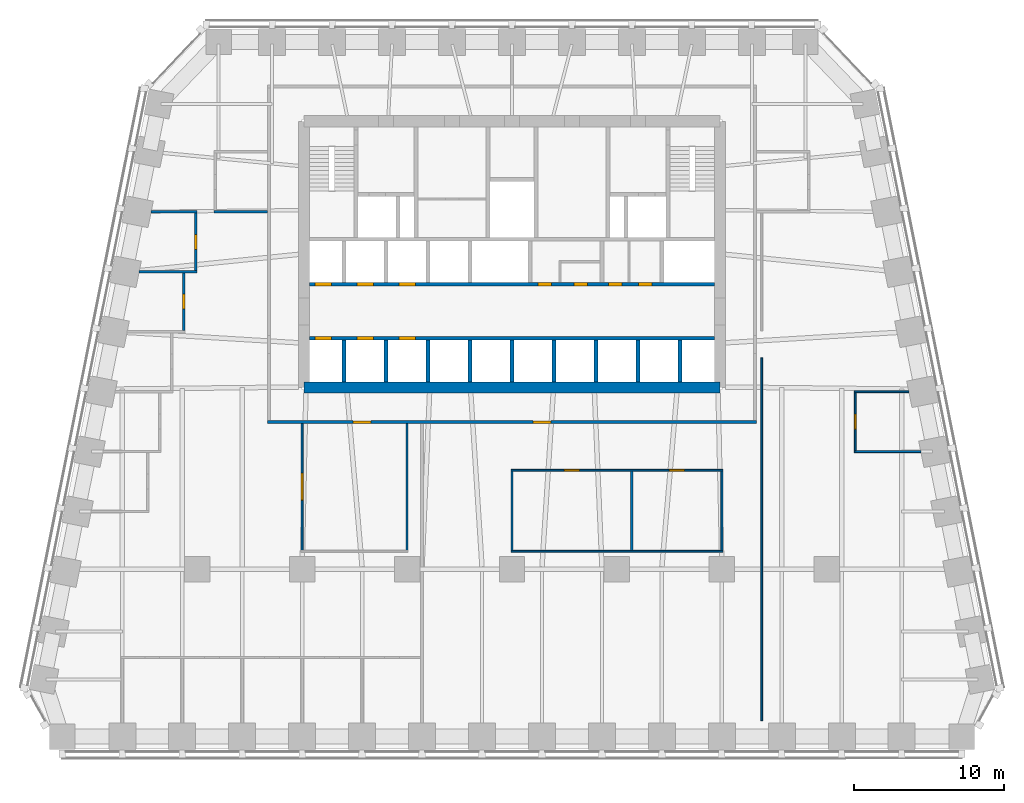
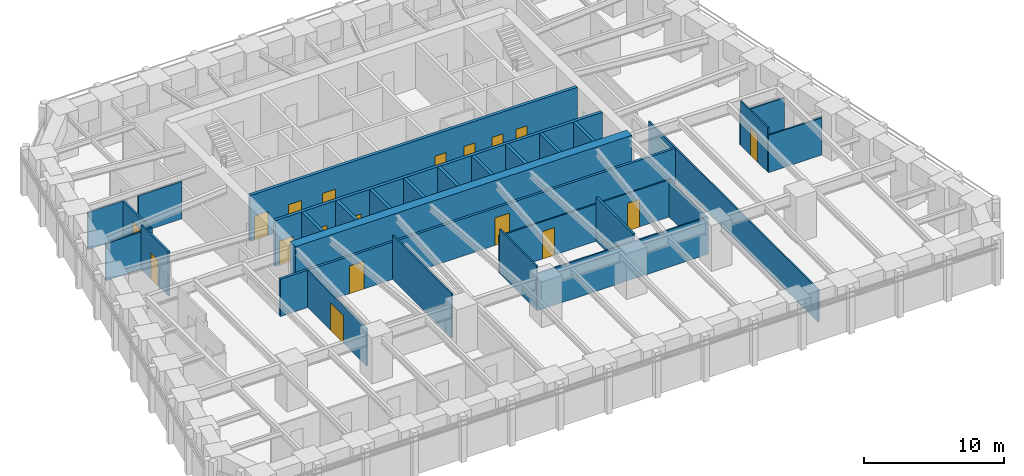
# One storey, part 6 of 10: 29 walls, 18 doors, 18 openings.
"""IFC4 building model written with IfcOpenShell, lengths in metres."""

from ifc_helpers import new_model, si_unit, direction, frame, frame_2d, origin, place, context, subcontext, project, spatial, rectangle, extrude, material, layer, layer_set, type_object, element, fill, save


model = new_model("IFC4")

# Units and contexts
model_context = context("Model", 3, precision=1e-05, world=origin(), true_north=direction((0.0, 1.0)))
body_context = subcontext(model_context, "Body", "Model", "MODEL_VIEW")
ifc_project = project(units=[si_unit("LENGTHUNIT", "METRE"), si_unit("AREAUNIT", "SQUARE_METRE"), si_unit("VOLUMEUNIT", "CUBIC_METRE"), si_unit("PLANEANGLEUNIT", "RADIAN"), si_unit("MASSUNIT", "GRAM", prefix="KILO")], contexts=[model_context])

# Site, building, storey
site_placement = place(None, origin())
site = spatial("IfcSite", under=ifc_project, at=site_placement, CompositionType="ELEMENT")
building_placement = place(site_placement, origin())
building = spatial("IfcBuilding", under=site, at=building_placement, Name="Isbrekke Arena Tower", CompositionType="ELEMENT")
storey_placement = place(building_placement, frame((0.0, 0.0, 111.0)))
storey = spatial("IfcBuildingStorey", under=building, at=storey_placement, Name="L24", CompositionType="ELEMENT", Elevation=111.0)

# Wall
ifc_material_1 = material(Name="Concrete B55 (C55/67)", Category="concrete")
ifc_layer_1 = layer(ifc_material_1, 0.75)
ifc_layer_set_1 = layer_set([ifc_layer_1], Name="CW3 CORE WALL 750")
wall_type_1 = type_object("IfcWallType", Name="CW3 CORE WALL 750", PredefinedType="SHEAR", material=ifc_layer_set_1)
wall_1_placement = place(storey_placement, frame((-13.875, 6.125, 0.0), z_axis=(0.0, 0.0, 1.0), x_axis=(1.0, 0.0, 0.0)))
element("IfcWall", 1, at=wall_1_placement, inside=storey, type_object=wall_type_1, Name="Core wall S L24", PredefinedType="SHEAR", context=body_context, shape_type="SweptSolid", body=[
    extrude(rectangle(XDim=27.75, YDim=0.75, at=frame_2d((13.875, 0.0))), origin(), (0.0, 0.0, 1.0), 4.0),
])

# Wall, openings, doors
ifc_material_2 = material(Name="Concrete B45 (C45/55)", Category="concrete")
ifc_layer_2 = layer(ifc_material_2, 0.25)
ifc_layer_set_2 = layer_set([ifc_layer_2], Name="CW6 SHAFT WALL 250")
wall_type_2 = type_object("IfcWallType", Name="CW6 SHAFT WALL 250", PredefinedType="SHEAR", material=ifc_layer_set_2)
wall_2_placement = place(storey_placement, frame((-13.5, 9.39990234375, 0.0), z_axis=(0.0, 0.0, 1.0), x_axis=(1.0, 0.0, 0.0)))
wall_2 = element("IfcWall", 2, at=wall_2_placement, inside=storey, type_object=wall_type_2, Name="Core wall LS L24", PredefinedType="SHEAR", context=body_context, shape_type="SweptSolid", body=[
    extrude(rectangle(XDim=27.0, YDim=0.25, at=frame_2d((13.5, 0.0))), origin(), (0.0, 0.0, 1.0), 4.0),
])
opening_1_placement = place(wall_2_placement, frame((0.35009765625, 0.0, 0.0)))
opening_1 = element("IfcOpeningElement", 3, at=opening_1_placement, cuts=wall_2, Name="Opening LD1", PredefinedType="OPENING", context=body_context, shape_type="SweptSolid", body=[
    extrude(rectangle(XDim=1.10009765625, YDim=2.10009765625, at=frame_2d((0.550048828125, 1.050048828125))), frame((0.0, 0.139892578125, 0.0), z_axis=(0.0, -1.0, 0.0), x_axis=(1.0, 0.0, 0.0)), (0.0, 0.0, 1.0), 0.27978515625),
])
opening_2_placement = place(wall_2_placement, frame((3.14990234375, 0.0, 0.0)))
opening_2 = element("IfcOpeningElement", 4, at=opening_2_placement, cuts=wall_2, Name="Opening LD1", PredefinedType="OPENING", context=body_context, shape_type="SweptSolid", body=[
    extrude(rectangle(XDim=1.10009765625, YDim=2.10009765625, at=frame_2d((0.550048828125, 1.050048828125))), frame((0.0, 0.139892578125, 0.0), z_axis=(0.0, -1.0, 0.0), x_axis=(1.0, 0.0, 0.0)), (0.0, 0.0, 1.0), 0.27978515625),
])
opening_3_placement = place(wall_2_placement, frame((5.949951171875, 0.0, 0.0)))
opening_3 = element("IfcOpeningElement", 5, at=opening_3_placement, cuts=wall_2, Name="Opening LD1", PredefinedType="OPENING", context=body_context, shape_type="SweptSolid", body=[
    extrude(rectangle(XDim=1.10009765625, YDim=2.10009765625, at=frame_2d((0.550048828125, 1.050048828125))), frame((0.0, 0.139892578125, 0.0), z_axis=(0.0, -1.0, 0.0), x_axis=(1.0, 0.0, 0.0)), (0.0, 0.0, 1.0), 0.27978515625),
])
ifc_material_3 = material(Name="Stainless steel lift landing door", Category="steel")
door_type_1 = type_object("IfcDoorType", Name="LD1 LIFT LANDING DOOR 1100 x 2100", OperationType="SLIDING_TO_LEFT", PredefinedType="DOOR", material=ifc_material_3)
door_1_placement = place(opening_1_placement, origin())
door_1 = element("IfcDoor", 6, at=door_1_placement, inside=storey, type_object=door_type_1, Name="LD1 lift landing door LB L24", OperationType="SLIDING_TO_LEFT", OverallHeight=2.10009765625, OverallWidth=1.10009765625, PredefinedType="DOOR", context=body_context, shape_type="SweptSolid", body=[
    extrude(rectangle(XDim=1.10009765625, YDim=2.10009765625, at=frame_2d((0.550048828125, 1.050048828125))), frame((0.0, 0.124755859375, 0.0), z_axis=(0.0, -1.0, 0.0), x_axis=(1.0, 0.0, 0.0)), (0.0, 0.0, 1.0), 0.24951171875),
])
fill(opening_1, door_1)
door_2_placement = place(opening_2_placement, origin())
door_2 = element("IfcDoor", 7, at=door_2_placement, inside=storey, type_object=door_type_1, Name="LD1 lift landing door LB L24", OperationType="SLIDING_TO_LEFT", OverallHeight=2.10009765625, OverallWidth=1.10009765625, PredefinedType="DOOR", context=body_context, shape_type="SweptSolid", body=[
    extrude(rectangle(XDim=1.10009765625, YDim=2.10009765625, at=frame_2d((0.550048828125, 1.050048828125))), frame((0.0, 0.124755859375, 0.0), z_axis=(0.0, -1.0, 0.0), x_axis=(1.0, 0.0, 0.0)), (0.0, 0.0, 1.0), 0.24951171875),
])
fill(opening_2, door_2)
door_3_placement = place(opening_3_placement, origin())
door_3 = element("IfcDoor", 8, at=door_3_placement, inside=storey, type_object=door_type_1, Name="LD1 lift landing door LB L24", OperationType="SLIDING_TO_LEFT", OverallHeight=2.10009765625, OverallWidth=1.10009765625, PredefinedType="DOOR", context=body_context, shape_type="SweptSolid", body=[
    extrude(rectangle(XDim=1.10009765625, YDim=2.10009765625, at=frame_2d((0.550048828125, 1.050048828125))), frame((0.0, 0.124755859375, 0.0), z_axis=(0.0, -1.0, 0.0), x_axis=(1.0, 0.0, 0.0)), (0.0, 0.0, 1.0), 0.24951171875),
])
fill(opening_3, door_3)

wall_3_placement = place(storey_placement, frame((-13.5, 13.0, 0.0), z_axis=(0.0, 0.0, 1.0), x_axis=(1.0, 0.0, 0.0)))
wall_3 = element("IfcWall", 9, at=wall_3_placement, inside=storey, type_object=wall_type_2, Name="Core wall LN L24", PredefinedType="SHEAR", context=body_context, shape_type="SweptSolid", body=[
    extrude(rectangle(XDim=27.0, YDim=0.25, at=frame_2d((13.5, 0.0))), origin(), (0.0, 0.0, 1.0), 4.0),
])
opening_4_placement = place(wall_3_placement, frame((0.35009765625, 0.0, 0.0)))
opening_4 = element("IfcOpeningElement", 10, at=opening_4_placement, cuts=wall_3, Name="Opening LD1", PredefinedType="OPENING", context=body_context, shape_type="SweptSolid", body=[
    extrude(rectangle(XDim=1.10009765625, YDim=2.10009765625, at=frame_2d((0.550048828125, 1.050048828125))), frame((0.0, 0.139892578125, 0.0), z_axis=(0.0, -1.0, 0.0), x_axis=(1.0, 0.0, 0.0)), (0.0, 0.0, 1.0), 0.27978515625),
])
opening_5_placement = place(wall_3_placement, frame((3.14990234375, 0.0, 0.0)))
opening_5 = element("IfcOpeningElement", 11, at=opening_5_placement, cuts=wall_3, Name="Opening LD1", PredefinedType="OPENING", context=body_context, shape_type="SweptSolid", body=[
    extrude(rectangle(XDim=1.10009765625, YDim=2.10009765625, at=frame_2d((0.550048828125, 1.050048828125))), frame((0.0, 0.139892578125, 0.0), z_axis=(0.0, -1.0, 0.0), x_axis=(1.0, 0.0, 0.0)), (0.0, 0.0, 1.0), 0.27978515625),
])
opening_6_placement = place(wall_3_placement, frame((5.949951171875, 0.0, 0.0)))
opening_6 = element("IfcOpeningElement", 12, at=opening_6_placement, cuts=wall_3, Name="Opening LD1", PredefinedType="OPENING", context=body_context, shape_type="SweptSolid", body=[
    extrude(rectangle(XDim=1.10009765625, YDim=2.10009765625, at=frame_2d((0.550048828125, 1.050048828125))), frame((0.0, 0.139892578125, 0.0), z_axis=(0.0, -1.0, 0.0), x_axis=(1.0, 0.0, 0.0)), (0.0, 0.0, 1.0), 0.27978515625),
])
opening_7_placement = place(wall_3_placement, frame((15.25, 0.0, 0.0)))
opening_7 = element("IfcOpeningElement", 13, at=opening_7_placement, cuts=wall_3, Name="Opening D5", PredefinedType="OPENING", context=body_context, shape_type="SweptSolid", body=[
    extrude(rectangle(XDim=0.89990234375, YDim=2.10009765625, at=frame_2d((0.449951171875, 1.050048828125))), frame((0.0, 0.139892578125, 0.0), z_axis=(0.0, -1.0, 0.0), x_axis=(1.0, 0.0, 0.0)), (0.0, 0.0, 1.0), 0.27978515625),
])
opening_8_placement = place(wall_3_placement, frame((17.64990234375, 0.0, 0.0)))
opening_8 = element("IfcOpeningElement", 14, at=opening_8_placement, cuts=wall_3, Name="Opening D5", PredefinedType="OPENING", context=body_context, shape_type="SweptSolid", body=[
    extrude(rectangle(XDim=0.89990234375, YDim=2.10009765625, at=frame_2d((0.449951171875, 1.050048828125))), frame((0.0, 0.139892578125, 0.0), z_axis=(0.0, -1.0, 0.0), x_axis=(1.0, 0.0, 0.0)), (0.0, 0.0, 1.0), 0.27978515625),
])
opening_9_placement = place(wall_3_placement, frame((19.949951171875, 0.0, 0.0)))
opening_9 = element("IfcOpeningElement", 15, at=opening_9_placement, cuts=wall_3, Name="Opening D5", PredefinedType="OPENING", context=body_context, shape_type="SweptSolid", body=[
    extrude(rectangle(XDim=0.89990234375, YDim=2.10009765625, at=frame_2d((0.449951171875, 1.050048828125))), frame((0.0, 0.139892578125, 0.0), z_axis=(0.0, -1.0, 0.0), x_axis=(1.0, 0.0, 0.0)), (0.0, 0.0, 1.0), 0.27978515625),
])
opening_10_placement = place(wall_3_placement, frame((21.949951171875, 0.0, 0.0)))
opening_10 = element("IfcOpeningElement", 16, at=opening_10_placement, cuts=wall_3, Name="Opening D5", PredefinedType="OPENING", context=body_context, shape_type="SweptSolid", body=[
    extrude(rectangle(XDim=0.89990234375, YDim=2.10009765625, at=frame_2d((0.449951171875, 1.050048828125))), frame((0.0, 0.139892578125, 0.0), z_axis=(0.0, -1.0, 0.0), x_axis=(1.0, 0.0, 0.0)), (0.0, 0.0, 1.0), 0.27978515625),
])
ifc_material_4 = material(Name="Steel fire door", Category="steel")
door_type_2 = type_object("IfcDoorType", Name="D5 SERVICE DOOR 900 x 2100", OperationType="SINGLE_SWING_LEFT", PredefinedType="DOOR", material=ifc_material_4)
door_4_placement = place(opening_7_placement, origin())
door_4 = element("IfcDoor", 17, at=door_4_placement, inside=storey, type_object=door_type_2, Name="D5 print room door L24", OperationType="SINGLE_SWING_LEFT", OverallHeight=2.10009765625, OverallWidth=0.89990234375, PredefinedType="DOOR", context=body_context, shape_type="SweptSolid", body=[
    extrude(rectangle(XDim=0.89990234375, YDim=2.10009765625, at=frame_2d((0.449951171875, 1.050048828125))), frame((0.0, 0.124755859375, 0.0), z_axis=(0.0, -1.0, 0.0), x_axis=(1.0, 0.0, 0.0)), (0.0, 0.0, 1.0), 0.24951171875),
])
fill(opening_7, door_4)
door_5_placement = place(opening_8_placement, origin())
door_5 = element("IfcDoor", 18, at=door_5_placement, inside=storey, type_object=door_type_2, Name="D5 cleaner's store door L24", OperationType="SINGLE_SWING_LEFT", OverallHeight=2.10009765625, OverallWidth=0.89990234375, PredefinedType="DOOR", context=body_context, shape_type="SweptSolid", body=[
    extrude(rectangle(XDim=0.89990234375, YDim=2.10009765625, at=frame_2d((0.449951171875, 1.050048828125))), frame((0.0, 0.124755859375, 0.0), z_axis=(0.0, -1.0, 0.0), x_axis=(1.0, 0.0, 0.0)), (0.0, 0.0, 1.0), 0.24951171875),
])
fill(opening_8, door_5)
door_6_placement = place(opening_9_placement, origin())
door_6 = element("IfcDoor", 19, at=door_6_placement, inside=storey, type_object=door_type_2, Name="D5 communications room door L24", OperationType="SINGLE_SWING_LEFT", OverallHeight=2.10009765625, OverallWidth=0.89990234375, PredefinedType="DOOR", context=body_context, shape_type="SweptSolid", body=[
    extrude(rectangle(XDim=0.89990234375, YDim=2.10009765625, at=frame_2d((0.449951171875, 1.050048828125))), frame((0.0, 0.124755859375, 0.0), z_axis=(0.0, -1.0, 0.0), x_axis=(1.0, 0.0, 0.0)), (0.0, 0.0, 1.0), 0.24951171875),
])
fill(opening_9, door_6)
door_7_placement = place(opening_10_placement, origin())
door_7 = element("IfcDoor", 20, at=door_7_placement, inside=storey, type_object=door_type_2, Name="D5 mothers' room door L24", OperationType="SINGLE_SWING_LEFT", OverallHeight=2.10009765625, OverallWidth=0.89990234375, PredefinedType="DOOR", context=body_context, shape_type="SweptSolid", body=[
    extrude(rectangle(XDim=0.89990234375, YDim=2.10009765625, at=frame_2d((0.449951171875, 1.050048828125))), frame((0.0, 0.124755859375, 0.0), z_axis=(0.0, -1.0, 0.0), x_axis=(1.0, 0.0, 0.0)), (0.0, 0.0, 1.0), 0.24951171875),
])
fill(opening_10, door_7)
door_8_placement = place(opening_4_placement, origin())
door_8 = element("IfcDoor", 21, at=door_8_placement, inside=storey, type_object=door_type_1, Name="LD1 lift landing door LB L24", OperationType="SLIDING_TO_LEFT", OverallHeight=2.10009765625, OverallWidth=1.10009765625, PredefinedType="DOOR", context=body_context, shape_type="SweptSolid", body=[
    extrude(rectangle(XDim=1.10009765625, YDim=2.10009765625, at=frame_2d((0.550048828125, 1.050048828125))), frame((0.0, 0.124755859375, 0.0), z_axis=(0.0, -1.0, 0.0), x_axis=(1.0, 0.0, 0.0)), (0.0, 0.0, 1.0), 0.24951171875),
])
fill(opening_4, door_8)
door_9_placement = place(opening_5_placement, origin())
door_9 = element("IfcDoor", 22, at=door_9_placement, inside=storey, type_object=door_type_1, Name="LD1 lift landing door LB L24", OperationType="SLIDING_TO_LEFT", OverallHeight=2.10009765625, OverallWidth=1.10009765625, PredefinedType="DOOR", context=body_context, shape_type="SweptSolid", body=[
    extrude(rectangle(XDim=1.10009765625, YDim=2.10009765625, at=frame_2d((0.550048828125, 1.050048828125))), frame((0.0, 0.124755859375, 0.0), z_axis=(0.0, -1.0, 0.0), x_axis=(1.0, 0.0, 0.0)), (0.0, 0.0, 1.0), 0.24951171875),
])
fill(opening_5, door_9)
door_10_placement = place(opening_6_placement, origin())
door_10 = element("IfcDoor", 23, at=door_10_placement, inside=storey, type_object=door_type_1, Name="LD1 lift landing door LB L24", OperationType="SLIDING_TO_LEFT", OverallHeight=2.10009765625, OverallWidth=1.10009765625, PredefinedType="DOOR", context=body_context, shape_type="SweptSolid", body=[
    extrude(rectangle(XDim=1.10009765625, YDim=2.10009765625, at=frame_2d((0.550048828125, 1.050048828125))), frame((0.0, 0.124755859375, 0.0), z_axis=(0.0, -1.0, 0.0), x_axis=(1.0, 0.0, 0.0)), (0.0, 0.0, 1.0), 0.24951171875),
])
fill(opening_6, door_10)

# Walls
for number, where, z_axis, x_axis, name in (
    (24, (-11.199951171875, 6.5, 0.0), (0.0, 0.0, 1.0), (0.0, 1.0, 0.0), "Core wall SS01 L24"),
    (25, (-8.39990234375, 6.5, 0.0), (0.0, 0.0, 1.0), (0.0, 1.0, 0.0), "Core wall SS02 L24"),
    (26, (-5.60009765625, 6.5, 0.0), (0.0, 0.0, 1.0), (0.0, 1.0, 0.0), "Core wall SS03 L24"),
    (27, (-2.800048828125, 6.5, 0.0), (0.0, 0.0, 1.0), (0.0, 1.0, 0.0), "Core wall SS04 L24"),
    (28, (0.0, 6.5, 0.0), (0.0, 0.0, 1.0), (0.0, 1.0, 0.0), "Core wall SS05 L24"),
    (29, (2.800048828125, 6.5, 0.0), (0.0, 0.0, 1.0), (0.0, 1.0, 0.0), "Core wall SS06 L24"),
    (30, (5.60009765625, 6.5, 0.0), (0.0, 0.0, 1.0), (0.0, 1.0, 0.0), "Core wall SS07 L24"),
    (31, (8.39990234375, 6.5, 0.0), (0.0, 0.0, 1.0), (0.0, 1.0, 0.0), "Core wall SS08 L24"),
    (32, (11.199951171875, 6.5, 0.0), (0.0, 0.0, 1.0), (0.0, 1.0, 0.0), "Core wall SS09 L24"),
):
    element("IfcWall", number, at=place(storey_placement, frame(where, z_axis=z_axis, x_axis=x_axis)), inside=storey, type_object=wall_type_2, Name=name, PredefinedType="SHEAR", context=body_context, shape_type="SweptSolid", body=[
        extrude(rectangle(XDim=2.77490234375, YDim=0.25, at=frame_2d((1.387451171875, 0.0))), origin(), (0.0, 0.0, 1.0), 4.0),
    ])
ifc_material_5 = material(Name="Gypsum board partition on steel studs", Category="steel")
ifc_layer_3 = layer(ifc_material_5, 0.14990234375)
ifc_layer_set_3 = layer_set([ifc_layer_3], Name="IW1 PARTITION 150")
wall_type_3 = type_object("IfcWallType", Name="IW1 PARTITION 150", PredefinedType="PARTITIONING", material=ifc_layer_set_3)
wall_4_placement = place(storey_placement, frame((-24.872802734375, 13.840087890625, 0.0), z_axis=(0.0, 0.0, 1.0), x_axis=(1.0, 0.0, 0.0)))
element("IfcWall", 33, at=wall_4_placement, inside=storey, type_object=wall_type_3, Name="IW1 partition 150 L24", PredefinedType="PARTITIONING", context=body_context, shape_type="SweptSolid", body=[
    extrude(rectangle(XDim=3.847900390625, YDim=0.14990234375, at=frame_2d((1.923828125, 0.0))), origin(), (0.0, 0.0, 1.0), 3.25),
])
wall_5_placement = place(storey_placement, frame((-24.07275390625, 17.840087890625, 0.0), z_axis=(0.0, 0.0, 1.0), x_axis=(1.0, 0.0, 0.0)))
element("IfcWall", 34, at=wall_5_placement, inside=storey, type_object=wall_type_3, Name="IW1 partition 150 L24", PredefinedType="PARTITIONING", context=body_context, shape_type="SweptSolid", body=[
    extrude(rectangle(XDim=3.0478515625, YDim=0.14990234375, at=frame_2d((1.52392578125, 0.0))), origin(), (0.0, 0.0, 1.0), 3.25),
])
wall_6_placement = place(storey_placement, frame((-19.875, 17.840087890625, 0.0), z_axis=(0.0, 0.0, 1.0), x_axis=(1.0, 0.0, 0.0)))
element("IfcWall", 35, at=wall_6_placement, inside=storey, type_object=wall_type_3, Name="IW1 partition 150 L24", PredefinedType="PARTITIONING", context=body_context, shape_type="SweptSolid", body=[
    extrude(rectangle(XDim=3.574951171875, YDim=0.14990234375, at=frame_2d((1.78759765625, 0.0))), origin(), (0.0, 0.0, 1.0), 3.25),
])

# Wall, opening, door
wall_7_placement = place(storey_placement, frame((-21.89990234375, 9.9150390625, 0.0), z_axis=(0.0, 0.0, 1.0), x_axis=(0.0, 1.0, 0.0)))
wall_7 = element("IfcWall", 36, at=wall_7_placement, inside=storey, type_object=wall_type_3, Name="IW1 partition 150 L24", PredefinedType="PARTITIONING", context=body_context, shape_type="SweptSolid", body=[
    extrude(rectangle(XDim=3.849853515625, YDim=0.14990234375, at=frame_2d((1.9248046875, 0.0))), origin(), (0.0, 0.0, 1.0), 3.85009765625),
])
opening_11_placement = place(wall_7_placement, frame((1.425048828125, 0.0, 0.0)))
opening_11 = element("IfcOpeningElement", 37, at=opening_11_placement, cuts=wall_7, Name="Opening D10", PredefinedType="OPENING", context=body_context, shape_type="SweptSolid", body=[
    extrude(rectangle(XDim=1.0, YDim=2.300048828125, at=frame_2d((0.5, 1.14990234375))), frame((0.0, 0.08984375, 0.0), z_axis=(0.0, -1.0, 0.0), x_axis=(1.0, 0.0, 0.0)), (0.0, 0.0, 1.0), 0.1796875),
])
ifc_material_6 = material(Name="Timber door", Category="wood")
door_type_3 = type_object("IfcDoorType", Name="D10 OFFICE DOOR 1000 x 2300", OperationType="SINGLE_SWING_LEFT", PredefinedType="DOOR", material=ifc_material_6)
door_11_placement = place(opening_11_placement, origin())
door_11 = element("IfcDoor", 38, at=door_11_placement, inside=storey, type_object=door_type_3, Name="D10 office door L24", OperationType="SINGLE_SWING_LEFT", OverallHeight=2.300048828125, OverallWidth=1.0, PredefinedType="DOOR", context=body_context, shape_type="SweptSolid", body=[
    extrude(rectangle(XDim=1.0, YDim=2.300048828125, at=frame_2d((0.5, 1.14990234375))), frame((0.0, 0.07470703125, 0.0), z_axis=(0.0, -1.0, 0.0), x_axis=(1.0, 0.0, 0.0)), (0.0, 0.0, 1.0), 0.1494140625),
])
fill(opening_11, door_11)

wall_8_placement = place(storey_placement, frame((-21.10009765625, 13.9150390625, 0.0), z_axis=(0.0, 0.0, 1.0), x_axis=(0.0, 1.0, 0.0)))
wall_8 = element("IfcWall", 39, at=wall_8_placement, inside=storey, type_object=wall_type_3, Name="IW1 partition 150 L24", PredefinedType="PARTITIONING", context=body_context, shape_type="SweptSolid", body=[
    extrude(rectangle(XDim=3.849853515625, YDim=0.14990234375, at=frame_2d((1.9248046875, 0.0))), origin(), (0.0, 0.0, 1.0), 3.25),
])
opening_12_placement = place(wall_8_placement, frame((1.425048828125, 0.0, 0.0)))
opening_12 = element("IfcOpeningElement", 40, at=opening_12_placement, cuts=wall_8, Name="Opening D10", PredefinedType="OPENING", context=body_context, shape_type="SweptSolid", body=[
    extrude(rectangle(XDim=1.0, YDim=2.300048828125, at=frame_2d((0.5, 1.14990234375))), frame((0.0, 0.08984375, 0.0), z_axis=(0.0, -1.0, 0.0), x_axis=(1.0, 0.0, 0.0)), (0.0, 0.0, 1.0), 0.1796875),
])
door_12_placement = place(opening_12_placement, origin())
door_12 = element("IfcDoor", 41, at=door_12_placement, inside=storey, type_object=door_type_3, Name="D10 office door L24", OperationType="SINGLE_SWING_LEFT", OverallHeight=2.300048828125, OverallWidth=1.0, PredefinedType="DOOR", context=body_context, shape_type="SweptSolid", body=[
    extrude(rectangle(XDim=1.0, YDim=2.300048828125, at=frame_2d((0.5, 1.14990234375))), frame((0.0, 0.07470703125, 0.0), z_axis=(0.0, -1.0, 0.0), x_axis=(1.0, 0.0, 0.0)), (0.0, 0.0, 1.0), 0.1494140625),
])
fill(opening_12, door_12)

# Wall
ifc_material_7 = material(Name="Frameless glazed partition, laminated acoustic glass", Category="glass")
ifc_layer_4 = layer(ifc_material_7, 0.1201171875)
ifc_layer_set_4 = layer_set([ifc_layer_4], Name="IW2 GLAZED PARTITION 120")
wall_type_4 = type_object("IfcWallType", Name="IW2 GLAZED PARTITION 120", PredefinedType="PARTITIONING", material=ifc_layer_set_4)
wall_9_placement = place(storey_placement, frame((-0.06005859375, -4.800048828125, 0.0), z_axis=(0.0, 0.0, 1.0), x_axis=(1.0, 0.0, 0.0)))
element("IfcWall", 42, at=wall_9_placement, inside=storey, type_object=wall_type_4, Name="IW2 glazed partition 120 L24", PredefinedType="PARTITIONING", context=body_context, shape_type="SweptSolid", body=[
    extrude(rectangle(XDim=14.1201171875, YDim=0.1201171875, at=frame_2d((7.06005859375, 0.0))), origin(), (0.0, 0.0, 1.0), 3.25),
])

# Wall, openings, doors
wall_10_placement = place(storey_placement, frame((-0.06005859375, 0.60009765625, 0.0), z_axis=(0.0, 0.0, 1.0), x_axis=(1.0, 0.0, 0.0)))
wall_10 = element("IfcWall", 43, at=wall_10_placement, inside=storey, type_object=wall_type_4, Name="IW2 glazed partition 120 L24", PredefinedType="PARTITIONING", context=body_context, shape_type="SweptSolid", body=[
    extrude(rectangle(XDim=14.1201171875, YDim=0.1201171875, at=frame_2d((7.06005859375, 0.0))), origin(), (0.0, 0.0, 1.0), 3.25),
])
opening_13_placement = place(wall_10_placement, frame((3.56005859375, 0.0, 0.0)))
opening_13 = element("IfcOpeningElement", 44, at=opening_13_placement, cuts=wall_10, Name="Opening D11", PredefinedType="OPENING", context=body_context, shape_type="SweptSolid", body=[
    extrude(rectangle(XDim=1.0, YDim=2.39990234375, at=frame_2d((0.5, 1.199951171875))), frame((0.0, 0.074951171875, 0.0), z_axis=(0.0, -1.0, 0.0), x_axis=(1.0, 0.0, 0.0)), (0.0, 0.0, 1.0), 0.14990234375),
])
opening_14_placement = place(wall_10_placement, frame((10.56005859375, 0.0, 0.0)))
opening_14 = element("IfcOpeningElement", 45, at=opening_14_placement, cuts=wall_10, Name="Opening D11", PredefinedType="OPENING", context=body_context, shape_type="SweptSolid", body=[
    extrude(rectangle(XDim=1.0, YDim=2.39990234375, at=frame_2d((0.5, 1.199951171875))), frame((0.0, 0.074951171875, 0.0), z_axis=(0.0, -1.0, 0.0), x_axis=(1.0, 0.0, 0.0)), (0.0, 0.0, 1.0), 0.14990234375),
])
ifc_material_8 = material(Name="Frameless glazed door", Category="glass")
door_type_4 = type_object("IfcDoorType", Name="D11 GLAZED MEETING ROOM DOOR 1000 x 2400", OperationType="SINGLE_SWING_RIGHT", PredefinedType="DOOR", material=ifc_material_8)
door_13_placement = place(opening_13_placement, origin())
door_13 = element("IfcDoor", 46, at=door_13_placement, inside=storey, type_object=door_type_4, Name="D11 meeting room door L24", OperationType="SINGLE_SWING_RIGHT", OverallHeight=2.39990234375, OverallWidth=1.0, PredefinedType="DOOR", context=body_context, shape_type="SweptSolid", body=[
    extrude(rectangle(XDim=1.0, YDim=2.39990234375, at=frame_2d((0.5, 1.199951171875))), frame((0.0, 0.059814453125, 0.0), z_axis=(0.0, -1.0, 0.0), x_axis=(1.0, 0.0, 0.0)), (0.0, 0.0, 1.0), 0.11962890625),
])
fill(opening_13, door_13)
door_14_placement = place(opening_14_placement, origin())
door_14 = element("IfcDoor", 47, at=door_14_placement, inside=storey, type_object=door_type_4, Name="D11 meeting room door L24", OperationType="SINGLE_SWING_RIGHT", OverallHeight=2.39990234375, OverallWidth=1.0, PredefinedType="DOOR", context=body_context, shape_type="SweptSolid", body=[
    extrude(rectangle(XDim=1.0, YDim=2.39990234375, at=frame_2d((0.5, 1.199951171875))), frame((0.0, 0.059814453125, 0.0), z_axis=(0.0, -1.0, 0.0), x_axis=(1.0, 0.0, 0.0)), (0.0, 0.0, 1.0), 0.11962890625),
])
fill(opening_14, door_14)

# Walls
wall_11_placement = place(storey_placement, frame((22.840087890625, 1.840087890625, 0.0), z_axis=(0.0, 0.0, 1.0), x_axis=(1.0, 0.0, 0.0)))
element("IfcWall", 48, at=wall_11_placement, inside=storey, type_object=wall_type_4, Name="IW2 glazed partition 120 L24", PredefinedType="PARTITIONING", context=body_context, shape_type="SweptSolid", body=[
    extrude(rectangle(XDim=4.4326171875, YDim=0.1201171875, at=frame_2d((2.21630859375, 0.0))), origin(), (0.0, 0.0, 1.0), 3.25),
])
wall_12_placement = place(storey_placement, frame((22.840087890625, 5.840087890625, 0.0), z_axis=(0.0, 0.0, 1.0), x_axis=(1.0, 0.0, 0.0)))
element("IfcWall", 49, at=wall_12_placement, inside=storey, type_object=wall_type_4, Name="IW2 glazed partition 120 L24", PredefinedType="PARTITIONING", context=body_context, shape_type="SweptSolid", body=[
    extrude(rectangle(XDim=3.6328125, YDim=0.1201171875, at=frame_2d((1.81640625, 0.0))), origin(), (0.0, 0.0, 1.0), 2.842041015625),
])

# Wall, opening, door
wall_13_placement = place(storey_placement, frame((-14.0, -4.739990234375, 0.0), z_axis=(0.0, 0.0, 1.0), x_axis=(0.0, 1.0, 0.0)))
wall_13 = element("IfcWall", 50, at=wall_13_placement, inside=storey, type_object=wall_type_4, Name="IW2 glazed partition 120 L24", PredefinedType="PARTITIONING", context=body_context, shape_type="SweptSolid", body=[
    extrude(rectangle(XDim=8.43994140625, YDim=0.1201171875, at=frame_2d((4.219970703125, 0.0))), origin(), (0.0, 0.0, 1.0), 3.25),
])
opening_15_placement = place(wall_13_placement, frame((3.340087890625, 0.0, 0.0)))
opening_15 = element("IfcOpeningElement", 51, at=opening_15_placement, cuts=wall_13, Name="Opening D13", PredefinedType="OPENING", context=body_context, shape_type="SweptSolid", body=[
    extrude(rectangle(XDim=1.800048828125, YDim=2.39990234375, at=frame_2d((0.89990234375, 1.199951171875))), frame((0.0, 0.074951171875, 0.0), z_axis=(0.0, -1.0, 0.0), x_axis=(1.0, 0.0, 0.0)), (0.0, 0.0, 1.0), 0.14990234375),
])
ifc_material_9 = material(Name="Timber door pair", Category="wood")
door_type_5 = type_object("IfcDoorType", Name="D13 DOUBLE ROOM DOOR 1800 x 2400", OperationType="DOUBLE_DOOR_SINGLE_SWING", PredefinedType="DOOR", material=ifc_material_9)
door_15_placement = place(opening_15_placement, origin())
door_15 = element("IfcDoor", 52, at=door_15_placement, inside=storey, type_object=door_type_5, Name="D13 meeting room door L24", OperationType="DOUBLE_DOOR_SINGLE_SWING", OverallHeight=2.39990234375, OverallWidth=1.800048828125, PredefinedType="DOOR", context=body_context, shape_type="SweptSolid", body=[
    extrude(rectangle(XDim=1.800048828125, YDim=2.39990234375, at=frame_2d((0.89990234375, 1.199951171875))), frame((0.0, 0.059814453125, 0.0), z_axis=(0.0, -1.0, 0.0), x_axis=(1.0, 0.0, 0.0)), (0.0, 0.0, 1.0), 0.11962890625),
])
fill(opening_15, door_15)

# Walls
wall_14_placement = place(storey_placement, frame((-7.0, -4.739990234375, 0.0), z_axis=(0.0, 0.0, 1.0), x_axis=(0.0, 1.0, 0.0)))
element("IfcWall", 53, at=wall_14_placement, inside=storey, type_object=wall_type_4, Name="IW2 glazed partition 120 L24", PredefinedType="PARTITIONING", context=body_context, shape_type="SweptSolid", body=[
    extrude(rectangle(XDim=8.43994140625, YDim=0.1201171875, at=frame_2d((4.219970703125, 0.0))), origin(), (0.0, 0.0, 1.0), 3.85009765625),
])
wall_15_placement = place(storey_placement, frame((0.0, -4.739990234375, 0.0), z_axis=(0.0, 0.0, 1.0), x_axis=(0.0, 1.0, 0.0)))
element("IfcWall", 54, at=wall_15_placement, inside=storey, type_object=wall_type_4, Name="IW2 glazed partition 120 L24", PredefinedType="PARTITIONING", context=body_context, shape_type="SweptSolid", body=[
    extrude(rectangle(XDim=5.280029296875, YDim=0.1201171875, at=frame_2d((2.64013671875, 0.0))), origin(), (0.0, 0.0, 1.0), 3.85009765625),
])
wall_16_placement = place(storey_placement, frame((14.0, -4.739990234375, 0.0), z_axis=(0.0, 0.0, 1.0), x_axis=(0.0, 1.0, 0.0)))
element("IfcWall", 55, at=wall_16_placement, inside=storey, type_object=wall_type_4, Name="IW2 glazed partition 120 L24", PredefinedType="PARTITIONING", context=body_context, shape_type="SweptSolid", body=[
    extrude(rectangle(XDim=5.280029296875, YDim=0.1201171875, at=frame_2d((2.64013671875, 0.0))), origin(), (0.0, 0.0, 1.0), 3.25),
])

# Wall, opening, door
wall_17_placement = place(storey_placement, frame((22.89990234375, 1.89990234375, 0.0), z_axis=(0.0, 0.0, 1.0), x_axis=(0.0, 1.0, 0.0)))
wall_17 = element("IfcWall", 56, at=wall_17_placement, inside=storey, type_object=wall_type_4, Name="IW2 glazed partition 120 L24", PredefinedType="PARTITIONING", context=body_context, shape_type="SweptSolid", body=[
    extrude(rectangle(XDim=3.880126953125, YDim=0.1201171875, at=frame_2d((1.93994140625, 0.0))), origin(), (0.0, 0.0, 1.0), 3.85009765625),
])
opening_16_placement = place(wall_17_placement, frame((1.43994140625, 0.0, 0.0)))
opening_16 = element("IfcOpeningElement", 57, at=opening_16_placement, cuts=wall_17, Name="Opening D11", PredefinedType="OPENING", context=body_context, shape_type="SweptSolid", body=[
    extrude(rectangle(XDim=1.0, YDim=2.39990234375, at=frame_2d((0.5, 1.199951171875))), frame((0.0, 0.074951171875, 0.0), z_axis=(0.0, -1.0, 0.0), x_axis=(1.0, 0.0, 0.0)), (0.0, 0.0, 1.0), 0.14990234375),
])
door_16_placement = place(opening_16_placement, origin())
door_16 = element("IfcDoor", 58, at=door_16_placement, inside=storey, type_object=door_type_4, Name="D11 project room door L24", OperationType="SINGLE_SWING_RIGHT", OverallHeight=2.39990234375, OverallWidth=1.0, PredefinedType="DOOR", context=body_context, shape_type="SweptSolid", body=[
    extrude(rectangle(XDim=1.0, YDim=2.39990234375, at=frame_2d((0.5, 1.199951171875))), frame((0.0, 0.059814453125, 0.0), z_axis=(0.0, -1.0, 0.0), x_axis=(1.0, 0.0, 0.0)), (0.0, 0.0, 1.0), 0.11962890625),
])
fill(opening_16, door_16)

# Wall
wall_18_placement = place(storey_placement, frame((16.660888671875, -16.10009765625, 0.0), z_axis=(0.0, 0.0, 1.0), x_axis=(0.0, 1.0, 0.0)))
element("IfcWall", 59, at=wall_18_placement, inside=storey, type_object=wall_type_4, Name="IW2 glazed partition 120 L24", PredefinedType="PARTITIONING", context=body_context, shape_type="SweptSolid", body=[
    extrude(rectangle(XDim=24.2001953125, YDim=0.1201171875, at=frame_2d((12.10009765625, 0.0))), origin(), (0.0, 0.0, 1.0), 2.842041015625),
])

# Wall, openings, doors
ifc_material_10 = material(Name="Gypsum board fire-cell wall on steel studs, two layers each side", Category="steel")
ifc_layer_5 = layer(ifc_material_10, 0.199951171875)
ifc_layer_set_5 = layer_set([ifc_layer_5], Name="IW3 FIRE-CELL WALL 200")
wall_type_5 = type_object("IfcWallType", Name="IW3 FIRE-CELL WALL 200", PredefinedType="PARTITIONING", material=ifc_layer_set_5)
wall_19_placement = place(storey_placement, frame((-16.300048828125, 3.800048828125, 0.0), z_axis=(0.0, 0.0, 1.0), x_axis=(1.0, 0.0, 0.0)))
wall_19 = element("IfcWall", 60, at=wall_19_placement, inside=storey, type_object=wall_type_5, Name="IW3 fire-cell wall 200 L24", PredefinedType="PARTITIONING", context=body_context, shape_type="SweptSolid", body=[
    extrude(rectangle(XDim=32.60009765625, YDim=0.199951171875, at=frame_2d((16.300048828125, 0.0))), origin(), (0.0, 0.0, 1.0), 3.25),
])
opening_17_placement = place(wall_19_placement, frame((5.699951171875, 0.0, 0.0)))
opening_17 = element("IfcOpeningElement", 61, at=opening_17_placement, cuts=wall_19, Name="Opening D12", PredefinedType="OPENING", context=body_context, shape_type="SweptSolid", body=[
    extrude(rectangle(XDim=1.199951171875, YDim=2.39990234375, at=frame_2d((0.60009765625, 1.199951171875))), frame((0.0, 0.11474609375, 0.0), z_axis=(0.0, -1.0, 0.0), x_axis=(1.0, 0.0, 0.0)), (0.0, 0.0, 1.0), 0.229736328125),
])
opening_18_placement = place(wall_19_placement, frame((17.699951171875, 0.0, 0.0)))
opening_18 = element("IfcOpeningElement", 62, at=opening_18_placement, cuts=wall_19, Name="Opening D12", PredefinedType="OPENING", context=body_context, shape_type="SweptSolid", body=[
    extrude(rectangle(XDim=1.199951171875, YDim=2.39990234375, at=frame_2d((0.60009765625, 1.199951171875))), frame((0.0, 0.11474609375, 0.0), z_axis=(0.0, -1.0, 0.0), x_axis=(1.0, 0.0, 0.0)), (0.0, 0.0, 1.0), 0.229736328125),
])
ifc_material_11 = material(Name="Timber fire door with vision panel", Category="wood")
door_type_6 = type_object("IfcDoorType", Name="D12 SUITE ENTRANCE DOOR 1200 x 2400", OperationType="SINGLE_SWING_LEFT", PredefinedType="DOOR", material=ifc_material_11)
door_17_placement = place(opening_17_placement, origin())
door_17 = element("IfcDoor", 63, at=door_17_placement, inside=storey, type_object=door_type_6, Name="D12 suite entrance B door L24", OperationType="SINGLE_SWING_LEFT", OverallHeight=2.39990234375, OverallWidth=1.199951171875, PredefinedType="DOOR", context=body_context, shape_type="SweptSolid", body=[
    extrude(rectangle(XDim=1.199951171875, YDim=2.39990234375, at=frame_2d((0.60009765625, 1.199951171875))), frame((0.0, 0.099609375, 0.0), z_axis=(0.0, -1.0, 0.0), x_axis=(1.0, 0.0, 0.0)), (0.0, 0.0, 1.0), 0.199462890625),
])
fill(opening_17, door_17)
door_18_placement = place(opening_18_placement, origin())
door_18 = element("IfcDoor", 64, at=door_18_placement, inside=storey, type_object=door_type_6, Name="D12 suite entrance A door L24", OperationType="SINGLE_SWING_LEFT", OverallHeight=2.39990234375, OverallWidth=1.199951171875, PredefinedType="DOOR", context=body_context, shape_type="SweptSolid", body=[
    extrude(rectangle(XDim=1.199951171875, YDim=2.39990234375, at=frame_2d((0.60009765625, 1.199951171875))), frame((0.0, 0.099609375, 0.0), z_axis=(0.0, -1.0, 0.0), x_axis=(1.0, 0.0, 0.0)), (0.0, 0.0, 1.0), 0.199462890625),
])
fill(opening_18, door_18)

# Wall
ifc_material_12 = material(Name="Gypsum board acoustic partition on twin steel studs", Category="steel")
ifc_layer_6 = layer(ifc_material_12, 0.175048828125)
ifc_layer_set_6 = layer_set([ifc_layer_6], Name="IW4 ACOUSTIC PARTITION 175")
wall_type_6 = type_object("IfcWallType", Name="IW4 ACOUSTIC PARTITION 175", PredefinedType="PARTITIONING", material=ifc_layer_set_6)
wall_20_placement = place(storey_placement, frame((8.0, -4.739990234375, 0.0), z_axis=(0.0, 0.0, 1.0), x_axis=(0.0, 1.0, 0.0)))
element("IfcWall", 65, at=wall_20_placement, inside=storey, type_object=wall_type_6, Name="IW4 acoustic partition 175 L24", PredefinedType="PARTITIONING", context=body_context, shape_type="SweptSolid", body=[
    extrude(rectangle(XDim=5.280029296875, YDim=0.175048828125, at=frame_2d((2.64013671875, 0.0))), origin(), (0.0, 0.0, 1.0), 3.85009765625),
])

save(model, "model.ifc")
